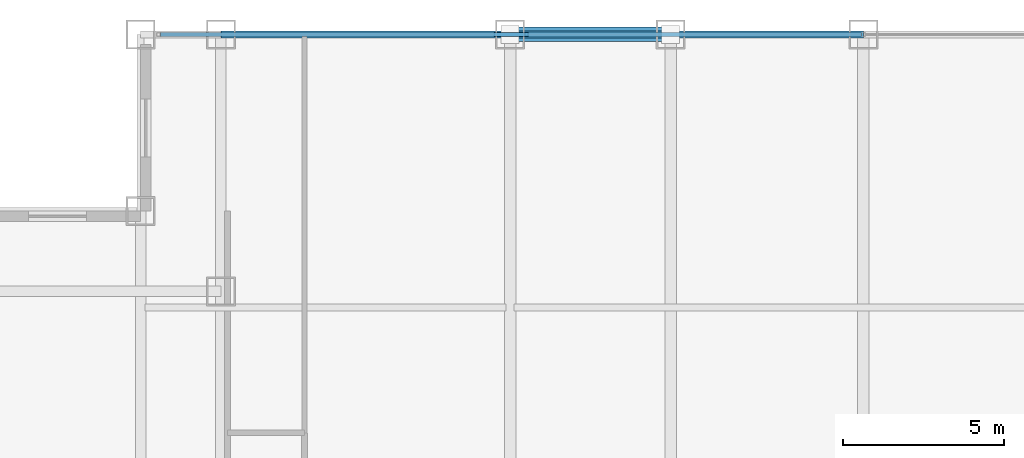
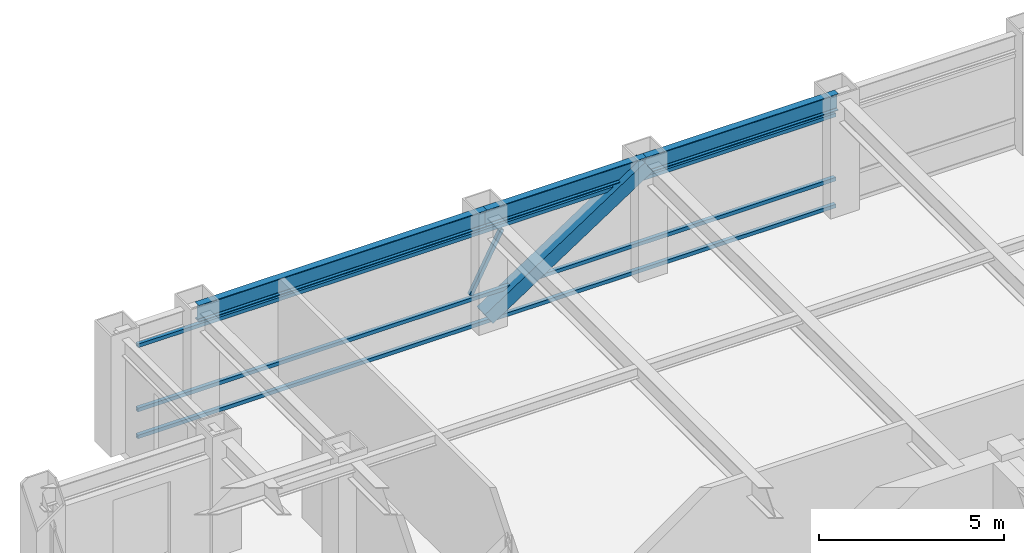
# One storey, part 13 of 22: 5 members, 3 beams, 1 element without a shape of its own.
"""IFC4 building model written with IfcOpenShell, lengths in metres."""

from ifc_helpers import new_model, si_unit, direction, frame, origin, origin_2d, place, context, subcontext, project, spatial, hollow_rectangle, i_section, extrude, source, transform, mapped, material, material_profile, profile_set, type_object, element, aggregate, save


model = new_model("IFC4")

# Units and contexts
model_context = context("Model", 3, precision=1e-05, world=origin(), true_north=direction((0.0, 1.0)))
body_context = subcontext(model_context, "Body", "Model", "MODEL_VIEW")
ifc_project = project(units=[si_unit("LENGTHUNIT", "METRE"), si_unit("AREAUNIT", "SQUARE_METRE"), si_unit("VOLUMEUNIT", "CUBIC_METRE"), si_unit("PLANEANGLEUNIT", "RADIAN"), si_unit("MASSUNIT", "GRAM", prefix="KILO")], contexts=[model_context])

# Site, building, storey
site_placement = place(None, origin())
site = spatial("IfcSite", under=ifc_project, at=site_placement, CompositionType="ELEMENT")
building_placement = place(site_placement, origin())
building = spatial("IfcBuilding", under=site, at=building_placement, Name="Khorayat Bourse Tower", CompositionType="ELEMENT")
storey_placement = place(building_placement, frame((0.0, 0.0, 293.5)))
storey = spatial("IfcBuildingStorey", under=building, at=storey_placement, Name="L69", CompositionType="ELEMENT", Elevation=293.5)

# Member
ifc_material_1 = material(Name="Steel EN 10025-4 S460M", Category="steel")
ifc_material_profile_1 = material_profile(ifc_material_1, hollow_rectangle(XDim=0.449951171875, YDim=0.449951171875, WallThickness=0.02490234375, at=origin_2d()), Name="HSS 450x450x25")
ifc_profile_set_1 = profile_set([ifc_material_profile_1], Name="Steel EN 10025-4 S460M")
member_type_1 = type_object("IfcMemberType", Name="MBR-TUBE-450", PredefinedType="BRACE", material=ifc_profile_set_1)
shared_shape_1 = source(origin(), body_context, "Body", "SweptSolid", [
    extrude(hollow_rectangle(XDim=0.449951171875, YDim=0.449951171875, WallThickness=0.02490234375, at=origin_2d()), origin(), (0.0, 0.0, 1.0), 5.979736328125),
])
member_1_placement = place(storey_placement, frame((-11.0, 28.0, 0.25), z_axis=(0.836141536525, 0.0, 0.548513747227), x_axis=(0.0, 1.0, 0.0)))
element("IfcMember", 1, at=member_1_placement, inside=storey, type_object=member_type_1, Name="L69 Perimeter Tube Brace 03", PredefinedType="BRACE", context=body_context, shape_type="MappedRepresentation", body=[
    mapped(shared_shape_1, transform((0.0, 0.0, 0.0), scale=1.0)),
])

# Beams
ifc_material_2 = material(Name="Steel ASTM A992 Grade 50", Category="steel")
ifc_material_profile_2 = material_profile(ifc_material_2, i_section(OverallWidth=0.214111328125, OverallDepth=0.549072265625, WebThickness=0.0146484375, FlangeThickness=0.023681640625, FilletRadius=0.013916015625, at=origin_2d()), Name="W530X138")
ifc_profile_set_2 = profile_set([ifc_material_profile_2], Name="Steel ASTM A992 Grade 50")
beam_type = type_object("IfcBeamType", Name="BM-SPAN-530", PredefinedType="SPANDREL", material=ifc_profile_set_2)
shared_shape_2 = source(origin(), body_context, "Body", "SweptSolid", [
    extrude(i_section(OverallWidth=0.214111328125, OverallDepth=0.549072265625, WebThickness=0.0146484375, FlangeThickness=0.023681640625, FilletRadius=0.013916015625, at=origin_2d()), origin(), (0.0, 0.0, 1.0), 9.0),
])
beam_1_placement = place(storey_placement, frame((-20.0, 28.0, 3.505615234375), z_axis=(1.0, 0.0, 0.0), x_axis=(0.0, 1.0, 0.0)))
element("IfcBeam", 2, at=beam_1_placement, inside=storey, type_object=beam_type, Name="L69 BM-SPAN-530 BM-L69-SPN-050", PredefinedType="SPANDREL", context=body_context, shape_type="MappedRepresentation", body=[
    mapped(shared_shape_2, transform((0.0, 0.0, 0.0), scale=1.0)),
])
shared_shape_3 = source(origin(), body_context, "Body", "SweptSolid", [
    extrude(i_section(OverallWidth=0.214111328125, OverallDepth=0.549072265625, WebThickness=0.0146484375, FlangeThickness=0.023681640625, FilletRadius=0.013916015625, at=origin_2d()), origin(), (0.0, 0.0, 1.0), 5.0),
])
beam_2_placement = place(storey_placement, frame((-11.0, 28.0, 3.505615234375), z_axis=(1.0, 0.0, 0.0), x_axis=(0.0, 1.0, 0.0)))
element("IfcBeam", 3, at=beam_2_placement, inside=storey, type_object=beam_type, Name="L69 BM-SPAN-530 BM-L69-SPN-049", PredefinedType="SPANDREL", context=body_context, shape_type="MappedRepresentation", body=[
    mapped(shared_shape_3, transform((0.0, 0.0, 0.0), scale=1.0)),
])
shared_shape_4 = source(origin(), body_context, "Body", "SweptSolid", [
    extrude(i_section(OverallWidth=0.214111328125, OverallDepth=0.549072265625, WebThickness=0.0146484375, FlangeThickness=0.023681640625, FilletRadius=0.013916015625, at=origin_2d()), origin(), (0.0, 0.0, 1.0), 6.0),
])
beam_3_placement = place(storey_placement, frame((-6.0, 28.0, 3.505615234375), z_axis=(1.0, 0.0, 0.0), x_axis=(0.0, 1.0, 0.0)))
element("IfcBeam", 4, at=beam_3_placement, inside=storey, type_object=beam_type, Name="L69 BM-SPAN-530 BM-L69-SPN-048", PredefinedType="SPANDREL", context=body_context, shape_type="MappedRepresentation", body=[
    mapped(shared_shape_4, transform((0.0, 0.0, 0.0), scale=1.0)),
])

# Curtain wall, members
ifc_material_3 = material(Name="Aluminium EN AW-6063 T6", Category="aluminium")
curtain_wall_type = type_object("IfcCurtainWallType", Name="CW-SYS-04", PredefinedType="NOTDEFINED", material=ifc_material_3)
curtain_wall_placement = place(storey_placement, origin())
curtain_wall = element("IfcCurtainWall", 5, at=curtain_wall_placement, inside=storey, type_object=curtain_wall_type, Name="L69 Curtain Wall CW-L69-N1", PredefinedType="NOTDEFINED")
ifc_material_profile_3 = material_profile(ifc_material_3, hollow_rectangle(XDim=0.1201171875, YDim=0.1201171875, WallThickness=0.0048828125, at=origin_2d()), Name="ALU 120x120x5")
ifc_profile_set_3 = profile_set([ifc_material_profile_3], Name="Aluminium EN AW-6063 T6")
member_type_2 = type_object("IfcMemberType", Name="CWM-DIAG-120", PredefinedType="MULLION", material=ifc_profile_set_3)
shared_shape_5 = source(origin(), body_context, "Body", "SweptSolid", [
    extrude(hollow_rectangle(XDim=0.1201171875, YDim=0.1201171875, WallThickness=0.0048828125, at=origin_2d()), origin(), (0.0, 0.0, 1.0), 2.0791015625),
])
member_2_placement = place(storey_placement, frame((-11.4541015625, 28.0, 1.090087890625), z_axis=(0.465717394116, 0.0, 0.884933505309), x_axis=(0.0, 1.0, 0.0)))
member_2 = element("IfcMember", 6, at=member_2_placement, type_object=member_type_2, Name="CW-L69-N1 Faceted Diagonal Mullion 1", PredefinedType="MULLION", context=body_context, shape_type="MappedRepresentation", body=[
    mapped(shared_shape_5, transform((0.0, 0.0, 0.0), scale=1.0)),
])
ifc_material_profile_4 = material_profile(ifc_material_3, hollow_rectangle(XDim=0.1201171875, YDim=0.1201171875, WallThickness=0.0048828125, at=origin_2d()), Name="ALU 120x120x5")
ifc_profile_set_4 = profile_set([ifc_material_profile_4], Name="Aluminium EN AW-6063 T6")
member_type_3 = type_object("IfcMemberType", Name="CWT-HORZ-120", PredefinedType="USERDEFINED", material=ifc_profile_set_4)
shared_shape_6 = source(origin(), body_context, "Body", "SweptSolid", [
    extrude(hollow_rectangle(XDim=0.1201171875, YDim=0.1201171875, WallThickness=0.0048828125, at=origin_2d()), origin(), (0.0, 0.0, 1.0), 21.81982421875),
])
member_3_placement = place(storey_placement, frame((-21.8798828125, 28.0, 0.06005859375), z_axis=(1.0, 0.0, 0.0), x_axis=(0.0, 1.0, 0.0)))
member_3 = element("IfcMember", 7, at=member_3_placement, type_object=member_type_3, Name="CW-L69-N1 Horizontal Transom 1-1", ObjectType="TRANSOM", PredefinedType="USERDEFINED", context=body_context, shape_type="MappedRepresentation", body=[
    mapped(shared_shape_6, transform((0.0, 0.0, 0.0), scale=1.0)),
])
member_4_placement = place(storey_placement, frame((-21.8798828125, 28.0, 0.949951171875), z_axis=(1.0, 0.0, 0.0), x_axis=(0.0, 1.0, 0.0)))
member_4 = element("IfcMember", 8, at=member_4_placement, type_object=member_type_3, Name="CW-L69-N1 Horizontal Transom 1-2", ObjectType="TRANSOM", PredefinedType="USERDEFINED", context=body_context, shape_type="MappedRepresentation", body=[
    mapped(shared_shape_6, transform((0.0, 0.0, 0.0), scale=1.0)),
])
member_5_placement = place(storey_placement, frame((-21.8798828125, 28.0, 3.070068359375), z_axis=(1.0, 0.0, 0.0), x_axis=(0.0, 1.0, 0.0)))
member_5 = element("IfcMember", 9, at=member_5_placement, type_object=member_type_3, Name="CW-L69-N1 Horizontal Transom 1-3", ObjectType="TRANSOM", PredefinedType="USERDEFINED", context=body_context, shape_type="MappedRepresentation", body=[
    mapped(shared_shape_6, transform((0.0, 0.0, 0.0), scale=1.0)),
])
aggregate(curtain_wall, [member_3, member_4, member_5, member_2])

save(model, "model.ifc")
